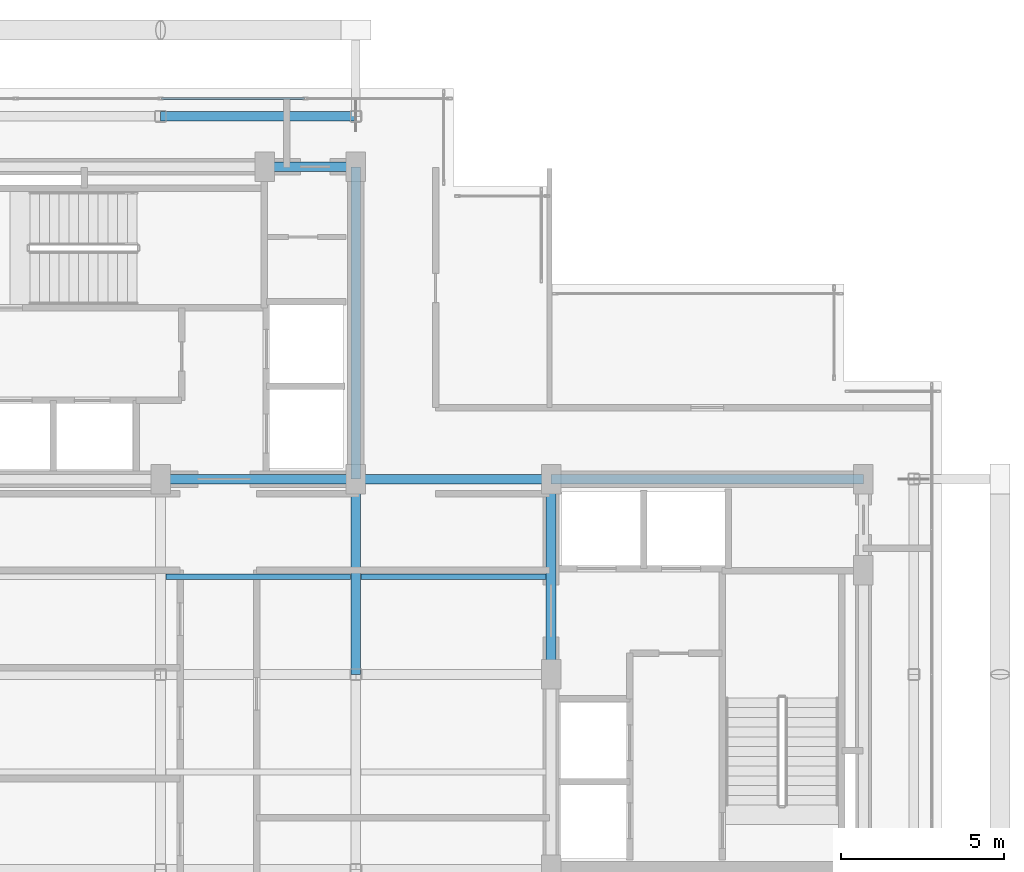
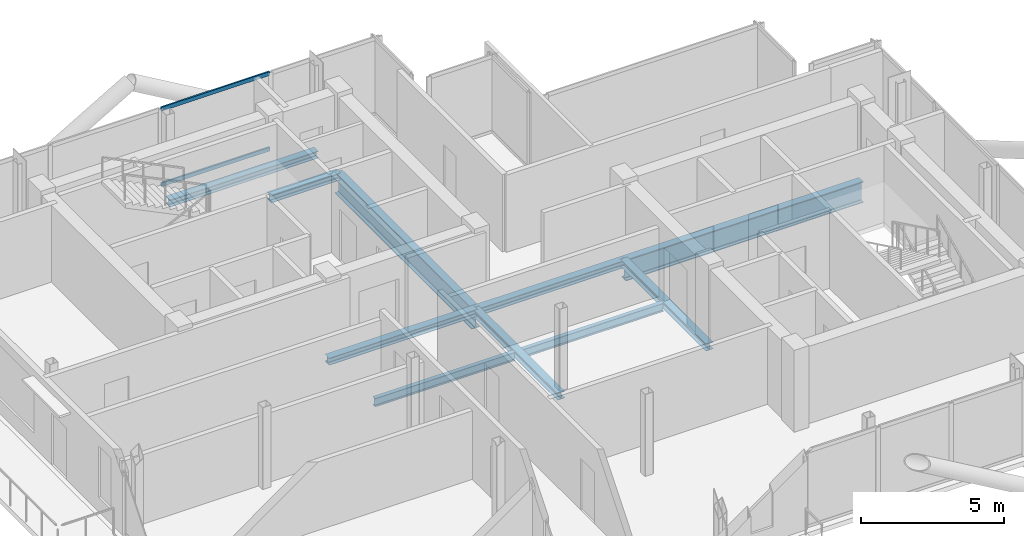
# One storey, part 9 of 18: 10 beams, 2 members, 1 element without a shape of its own.
"""IFC4 building model written with IfcOpenShell, lengths in metres."""

from ifc_helpers import new_model, si_unit, direction, frame, origin, origin_2d, place, context, subcontext, project, spatial, hollow_rectangle, i_section, extrude, material, layer, layer_set, material_profile, profile_set, type_object, element, aggregate, save


model = new_model("IFC4")

# Units and contexts
model_context = context("Model", 3, precision=1e-05, world=origin(), true_north=direction((0.0, 1.0)))
body_context = subcontext(model_context, "Body", "Model", "MODEL_VIEW")
ifc_project = project(units=[si_unit("LENGTHUNIT", "METRE"), si_unit("AREAUNIT", "SQUARE_METRE"), si_unit("VOLUMEUNIT", "CUBIC_METRE"), si_unit("PLANEANGLEUNIT", "RADIAN"), si_unit("MASSUNIT", "GRAM", prefix="KILO"), si_unit("THERMODYNAMICTEMPERATUREUNIT", "KELVIN"), si_unit("POWERUNIT", "WATT")], contexts=[model_context])

# Site, building, storey
site_placement = place(None, origin())
site = spatial("IfcSite", under=ifc_project, at=site_placement, CompositionType="ELEMENT")
building_placement = place(site_placement, origin())
building = spatial("IfcBuilding", under=site, at=building_placement, Name="Svarakhadi Broadcast Tower", CompositionType="ELEMENT")
storey_placement = place(building_placement, frame((0.0, 0.0, 278.199951171875)))
storey = spatial("IfcBuildingStorey", under=building, at=storey_placement, Name="L70", CompositionType="ELEMENT", Elevation=278.199951171875)

# Beams
ifc_material_1 = material(Name="Steel S355J2 (IS 2062 E350C)", Category="steel")
ifc_material_profile_1 = material_profile(ifc_material_1, i_section(OverallWidth=0.169921875, OverallDepth=0.360107421875, WebThickness=0.008056640625, FlangeThickness=0.0126953125, FilletRadius=0.01806640625, at=origin_2d()), Name="NPB 360x170x57")
ifc_profile_set_1 = profile_set([ifc_material_profile_1], Name="Steel S355J2 (IS 2062 E350C)")
beam_type_1 = type_object("IfcBeamType", Name="Beam_NPB360", PredefinedType="BEAM", material=ifc_profile_set_1)
for number, where, z_axis, x_axis, name in (
    (1, (12.159912109375, 15.0, -0.3798828125), (1.0, 0.0, 0.0), (0.0, 1.0, 0.0), "L70 Secondary Composite Beam SB009"),
    (2, (18.159912109375, 15.0, -0.3798828125), (1.0, 0.0, 0.0), (0.0, 1.0, 0.0), "L70 Secondary Composite Beam SB012"),
):
    element("IfcBeam", number, at=place(storey_placement, frame(where, z_axis=z_axis, x_axis=x_axis)), inside=storey, type_object=beam_type_1, Name=name, PredefinedType="BEAM", context=body_context, shape_type="SweptSolid", body=[
        extrude(i_section(OverallWidth=0.169921875, OverallDepth=0.360107421875, WebThickness=0.008056640625, FlangeThickness=0.0126953125, FilletRadius=0.01806640625, at=origin_2d()), origin(), (0.0, 0.0, 1.0), 5.68017578125),
    ])

# Curtain wall, members
ifc_material_2 = material(Name="Anodised Bronze Aluminium AA 6063-T6", Category="aluminium")
ifc_layer = layer(ifc_material_2, 0.179931640625)
ifc_layer_set = layer_set([ifc_layer], Name="Anodised Bronze Aluminium AA 6063-T6")
curtain_wall_type = type_object("IfcCurtainWallType", Name="CW_Sys_05", PredefinedType="NOTDEFINED", material=ifc_layer_set)
curtain_wall_placement = place(storey_placement, origin())
curtain_wall = element("IfcCurtainWall", 3, at=curtain_wall_placement, inside=storey, type_object=curtain_wall_type, Name="L70 Unitised Facade Curtain Wall 06", PredefinedType="NOTDEFINED")
ifc_material_profile_2 = material_profile(ifc_material_2, hollow_rectangle(XDim=0.06494140625, YDim=0.1650390625, WallThickness=0.0048828125, at=origin_2d()), Name="ALU TRANSOM 165x65x5")
ifc_profile_set_2 = profile_set([ifc_material_profile_2], Name="Anodised Bronze Aluminium AA 6063-T6")
member_type = type_object("IfcMemberType", Name="CW_Sys_05_Trn", PredefinedType="USERDEFINED", material=ifc_profile_set_2)
member_1_placement = place(storey_placement, frame((12.034912109375, 29.699951171875, 0.032470703125), z_axis=(1.0, 0.0, 0.0), x_axis=(0.0, 1.0, 0.0)))
member_1 = element("IfcMember", 4, at=member_1_placement, type_object=member_type, Name="CW-05 transom 3.1", ObjectType="TRANSOM", PredefinedType="USERDEFINED", context=body_context, shape_type="SweptSolid", body=[
    extrude(hollow_rectangle(XDim=0.06494140625, YDim=0.1650390625, WallThickness=0.0048828125, at=origin_2d()), origin(), (0.0, 0.0, 1.0), 4.385009765625),
])
member_2_placement = place(storey_placement, frame((12.034912109375, 29.699951171875, 3.267578125), z_axis=(1.0, 0.0, 0.0), x_axis=(0.0, 1.0, 0.0)))
member_2 = element("IfcMember", 5, at=member_2_placement, type_object=member_type, Name="CW-05 transom 3.2", ObjectType="TRANSOM", PredefinedType="USERDEFINED", context=body_context, shape_type="SweptSolid", body=[
    extrude(hollow_rectangle(XDim=0.06494140625, YDim=0.1650390625, WallThickness=0.0048828125, at=origin_2d()), origin(), (0.0, 0.0, 1.0), 4.385009765625),
])
aggregate(curtain_wall, [member_1, member_2])

# Beams
ifc_material_profile_3 = material_profile(ifc_material_1, i_section(OverallWidth=0.300048828125, OverallDepth=0.300048828125, WebThickness=0.010986328125, FlangeThickness=0.01904296875, FilletRadius=0.027099609375, at=origin_2d()), Name="WPB 300x300x117")
ifc_profile_set_3 = profile_set([ifc_material_profile_3], Name="Steel S355J2 (IS 2062 E350C)")
beam_type_2 = type_object("IfcBeamType", Name="Girder_WPB300", PredefinedType="USERDEFINED", material=ifc_profile_set_3)
for number, where, z_axis, x_axis, name in (
    (6, (12.0, 18.0, -0.349853515625), (1.0, 0.0, 0.0), (0.0, 1.0, 0.0), "L70 Primary E-W Girder G019"),
    (7, (18.0, 18.0, -0.349853515625), (1.0, 0.0, 0.0), (0.0, 1.0, 0.0), "L70 Primary E-W Girder G020"),
):
    element("IfcBeam", number, at=place(storey_placement, frame(where, z_axis=z_axis, x_axis=x_axis)), inside=storey, type_object=beam_type_2, Name=name, ObjectType="GIRDER", PredefinedType="USERDEFINED", context=body_context, shape_type="SweptSolid", body=[
        extrude(i_section(OverallWidth=0.300048828125, OverallDepth=0.300048828125, WebThickness=0.010986328125, FlangeThickness=0.01904296875, FilletRadius=0.027099609375, at=origin_2d()), origin(), (0.0, 0.0, 1.0), 6.0),
    ])
beam_placement = place(storey_placement, frame((15.199951171875, 27.60009765625, -0.349853515625), z_axis=(1.0, 0.0, 0.0), x_axis=(0.0, 1.0, 0.0)))
element("IfcBeam", 8, at=beam_placement, inside=storey, type_object=beam_type_2, Name="L70 Primary E-W Girder G023", ObjectType="GIRDER", PredefinedType="USERDEFINED", context=body_context, shape_type="SweptSolid", body=[
    extrude(i_section(OverallWidth=0.300048828125, OverallDepth=0.300048828125, WebThickness=0.010986328125, FlangeThickness=0.01904296875, FilletRadius=0.027099609375, at=origin_2d()), origin(), (0.0, 0.0, 1.0), 2.800048828125),
])
for number, where, z_axis, x_axis, name in (
    (9, (12.0, 29.14990234375, -0.349853515625), (1.0, 0.0, 0.0), (0.0, 1.0, 0.0), "L70 Primary E-W Girder G025"),
    (10, (18.0, 12.0, -0.349853515625), (0.0, 1.0, 0.0), (-1.0, 0.0, 0.0), "L70 Primary N-S Girder G038"),
    (11, (24.0, 12.0, -0.349853515625), (0.0, 1.0, 0.0), (-1.0, 0.0, 0.0), "L70 Primary N-S Girder G042"),
):
    element("IfcBeam", number, at=place(storey_placement, frame(where, z_axis=z_axis, x_axis=x_axis)), inside=storey, type_object=beam_type_2, Name=name, ObjectType="GIRDER", PredefinedType="USERDEFINED", context=body_context, shape_type="SweptSolid", body=[
        extrude(i_section(OverallWidth=0.300048828125, OverallDepth=0.300048828125, WebThickness=0.010986328125, FlangeThickness=0.01904296875, FilletRadius=0.027099609375, at=origin_2d()), origin(), (0.0, 0.0, 1.0), 6.0),
    ])
ifc_material_3 = material(Name="Steel S460ML (IS 2062 E450BR)", Category="steel")
ifc_material_profile_4 = material_profile(ifc_material_3, i_section(OverallWidth=0.300048828125, OverallDepth=0.89990234375, WebThickness=0.0185546875, FlangeThickness=0.034912109375, FilletRadius=0.030029296875, at=origin_2d()), Name="WPB 900x300x291")
ifc_profile_set_4 = profile_set([ifc_material_profile_4], Name="Steel S460ML (IS 2062 E450BR)")
beam_type_3 = type_object("IfcBeamType", Name="Girder_WPB900", PredefinedType="USERDEFINED", material=ifc_profile_set_4)
for number, where, z_axis, x_axis, name in (
    (12, (24.0, 18.0, -0.64990234375), (1.0, 0.0, 0.0), (0.0, 1.0, 0.0), "L70 Primary E-W Girder G021"),
    (13, (18.0, 18.0, -0.64990234375), (0.0, 1.0, 0.0), (-1.0, 0.0, 0.0), "L70 Primary N-S Girder G039"),
):
    element("IfcBeam", number, at=place(storey_placement, frame(where, z_axis=z_axis, x_axis=x_axis)), inside=storey, type_object=beam_type_3, Name=name, ObjectType="GIRDER", PredefinedType="USERDEFINED", context=body_context, shape_type="SweptSolid", body=[
        extrude(i_section(OverallWidth=0.300048828125, OverallDepth=0.89990234375, WebThickness=0.0185546875, FlangeThickness=0.034912109375, FilletRadius=0.030029296875, at=origin_2d()), origin(), (0.0, 0.0, 1.0), 9.60009765625),
    ])

save(model, "model.ifc")
